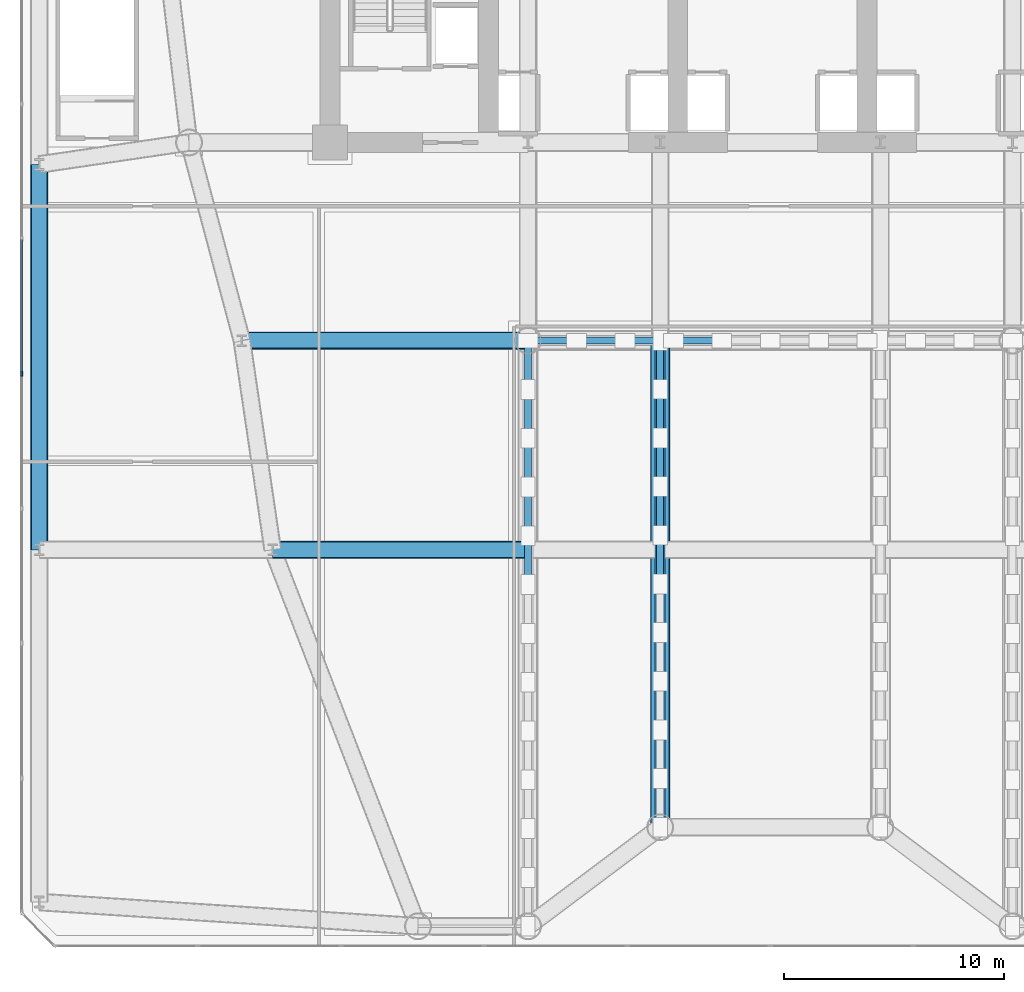
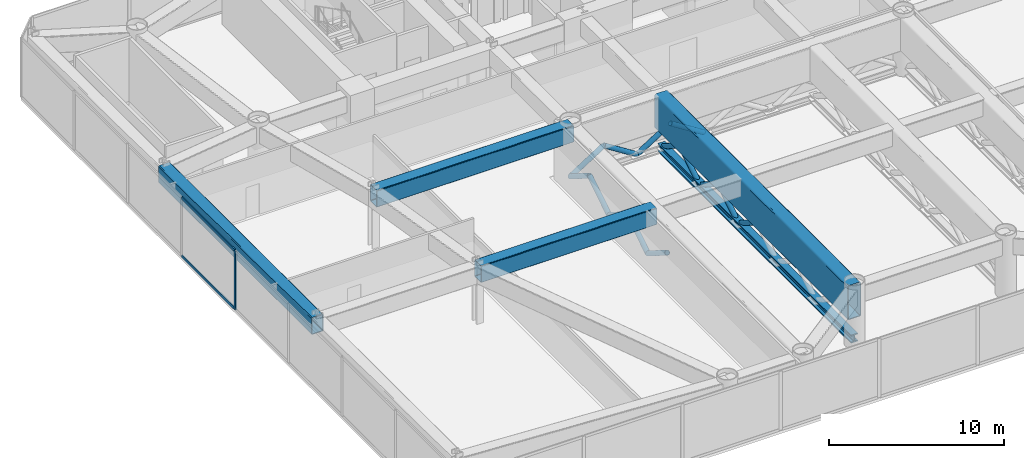
# One storey, part 3 of 21: 18 members, 4 beams, 1 element without a shape of its own.
"""IFC4 building model written with IfcOpenShell, lengths in metres."""

from ifc_helpers import new_model, si_unit, direction, frame, origin, origin_2d, place, context, subcontext, project, spatial, rectangle, hollow_rectangle, hollow_circle, i_section, extrude, source, transform, mapped, material, layer, layer_set, material_profile, profile_set, type_object, element, aggregate, save


model = new_model("IFC4")

# Units and contexts
model_context = context("Model", 3, precision=1e-05, world=origin(), true_north=direction((0.0, 1.0)))
body_context = subcontext(model_context, "Body", "Model", "MODEL_VIEW")
ifc_project = project(units=[si_unit("LENGTHUNIT", "METRE"), si_unit("AREAUNIT", "SQUARE_METRE"), si_unit("VOLUMEUNIT", "CUBIC_METRE"), si_unit("PLANEANGLEUNIT", "RADIAN"), si_unit("MASSUNIT", "GRAM", prefix="KILO")], contexts=[model_context])

# Site, building, storey
site_placement = place(None, origin())
site = spatial("IfcSite", under=ifc_project, at=site_placement, CompositionType="ELEMENT")
building_placement = place(site_placement, origin())
building = spatial("IfcBuilding", under=site, at=building_placement, Name="Vaeldorn Concourse Tower", CompositionType="ELEMENT")
storey_placement = place(building_placement, frame((0.0, 0.0, 14.39990234375)))
storey = spatial("IfcBuildingStorey", under=building, at=storey_placement, Name="L03", CompositionType="ELEMENT", Elevation=14.39990234375)

# Beams
ifc_material_1 = material(Name="Steel S460", Category="steel")
ifc_material_profile_1 = material_profile(ifc_material_1, hollow_rectangle(XDim=0.89990234375, YDim=2.39990234375, WallThickness=0.06005859375, InnerFilletRadius=0.06005859375, OuterFilletRadius=0.1201171875, at=origin_2d()), Name="RHS 2400x900x60")
ifc_profile_set_1 = profile_set([ifc_material_profile_1], Name="Steel S460")
beam_type_1 = type_object("IfcBeamType", Name="BM-TG-BOX2400", PredefinedType="BEAM", material=ifc_profile_set_1)
shared_shape_1 = source(origin(), body_context, "Body", "SweptSolid", [
    extrude(hollow_rectangle(XDim=0.89990234375, YDim=2.39990234375, WallThickness=0.06005859375, InnerFilletRadius=0.06005859375, OuterFilletRadius=0.1201171875, at=origin_2d()), origin(), (0.0, 0.0, 1.0), 22.10009765625),
])
beam_1_placement = place(storey_placement, frame((29.0, 5.39990234375, 2.920166015625), z_axis=(0.0, 1.0, 0.0), x_axis=(-1.0, 0.0, 0.0)))
element("IfcBeam", 1, at=beam_1_placement, inside=storey, type_object=beam_type_1, Name="Beam BM-L03-TG-M12400", PredefinedType="BEAM", context=body_context, shape_type="MappedRepresentation", body=[
    mapped(shared_shape_1, transform((0.0, 0.0, 0.0), scale=1.0)),
])
ifc_material_profile_2 = material_profile(ifc_material_1, hollow_rectangle(XDim=0.800048828125, YDim=1.199951171875, WallThickness=0.044921875, InnerFilletRadius=0.044921875, OuterFilletRadius=0.090087890625, at=origin_2d()), Name="RHS 1200x800x45")
ifc_profile_set_2 = profile_set([ifc_material_profile_2], Name="Steel S460")
beam_type_2 = type_object("IfcBeamType", Name="BM-TG-RHS1200", PredefinedType="BEAM", material=ifc_profile_set_2)
shared_shape_2 = source(origin(), body_context, "Body", "SweptSolid", [
    extrude(hollow_rectangle(XDim=0.800048828125, YDim=1.199951171875, WallThickness=0.044921875, InnerFilletRadius=0.044921875, OuterFilletRadius=0.090087890625, at=origin_2d()), origin(), (0.0, 0.0, 1.0), 13.0),
])
beam_2_placement = place(storey_placement, frame((10.0, 27.5, 3.52001953125), z_axis=(1.0, 0.0, 0.0), x_axis=(0.0, 1.0, 0.0)))
element("IfcBeam", 2, at=beam_2_placement, inside=storey, type_object=beam_type_2, Name="Beam BM-L03-TG-07", PredefinedType="BEAM", context=body_context, shape_type="MappedRepresentation", body=[
    mapped(shared_shape_2, transform((0.0, 0.0, 0.0), scale=1.0)),
])
shared_shape_3 = source(origin(), body_context, "Body", "SweptSolid", [
    extrude(hollow_rectangle(XDim=0.800048828125, YDim=1.199951171875, WallThickness=0.044921875, InnerFilletRadius=0.044921875, OuterFilletRadius=0.090087890625, at=origin_2d()), origin(), (0.0, 0.0, 1.0), 11.60009765625),
])
beam_3_placement = place(storey_placement, frame((11.39990234375, 18.0, 3.52001953125), z_axis=(1.0, 0.0, 0.0), x_axis=(0.0, 1.0, 0.0)))
element("IfcBeam", 3, at=beam_3_placement, inside=storey, type_object=beam_type_2, Name="Beam BM-L03-TG-09", PredefinedType="BEAM", context=body_context, shape_type="MappedRepresentation", body=[
    mapped(shared_shape_3, transform((0.0, 0.0, 0.0), scale=1.0)),
])
shared_shape_4 = source(origin(), body_context, "Body", "SweptSolid", [
    extrude(hollow_rectangle(XDim=0.800048828125, YDim=1.199951171875, WallThickness=0.044921875, InnerFilletRadius=0.044921875, OuterFilletRadius=0.090087890625, at=origin_2d()), origin(), (0.0, 0.0, 1.0), 17.5),
])
beam_4_placement = place(storey_placement, frame((0.800048828125, 18.0, 3.52001953125), z_axis=(0.0, 1.0, 0.0), x_axis=(-1.0, 0.0, 0.0)))
element("IfcBeam", 4, at=beam_4_placement, inside=storey, type_object=beam_type_2, Name="Beam BM-L03-TG-20", PredefinedType="BEAM", context=body_context, shape_type="MappedRepresentation", body=[
    mapped(shared_shape_4, transform((0.0, 0.0, 0.0), scale=1.0)),
])

# Members
ifc_material_profile_3 = material_profile(ifc_material_1, hollow_circle(Radius=0.161865234375, WallThickness=0.01611328125, at=origin_2d()), Name="CHS 323.9x16")
ifc_profile_set_3 = profile_set([ifc_material_profile_3], Name="Steel S460")
member_type_1 = type_object("IfcMemberType", Name="MB-KINK-STRUT", PredefinedType="STRUT", material=ifc_profile_set_3)
shared_shape_5 = source(origin(), body_context, "Body", "SweptSolid", [
    extrude(hollow_circle(Radius=0.161865234375, WallThickness=0.01611328125, at=origin_2d()), origin(), (0.0, 0.0, 1.0), 2.607666015625),
])
for number, where, z_axis, x_axis, name in (
    (5, (23.0, 27.5, 0.320068359375), (0.843630646049, 0.0, 0.536923954621), (0.0, 1.0, 0.0), "Concourse Transverse Collector Truss TT5 Diagonal 1"),
    (6, (27.39990234375, 27.5, 0.320068359375), (-0.843630646049, 0.0, 0.536923954621), (0.0, -1.0, 0.0), "Concourse Transverse Collector Truss TT5 Diagonal 2"),
    (7, (31.800048828125, 27.5, 0.320068359375), (-0.843630646049, 0.0, 0.536923954621), (0.0, -1.0, 0.0), "Concourse Transverse Collector Truss TT5 Diagonal 4"),
):
    element("IfcMember", number, at=place(storey_placement, frame(where, z_axis=z_axis, x_axis=x_axis)), inside=storey, type_object=member_type_1, Name=name, PredefinedType="STRUT", context=body_context, shape_type="MappedRepresentation", body=[
        mapped(shared_shape_5, transform((0.0, 0.0, 0.0), scale=1.0)),
    ])
shared_shape_6 = source(origin(), body_context, "Body", "SweptSolid", [
    extrude(hollow_circle(Radius=0.161865234375, WallThickness=0.01611328125, at=origin_2d()), origin(), (0.0, 0.0, 1.0), 2.60791015625),
])
member_1_placement = place(storey_placement, frame((27.39990234375, 27.5, 0.320068359375), z_axis=(0.843657632978, 0.0, 0.536881549615), x_axis=(0.0, 1.0, 0.0)))
element("IfcMember", 8, at=member_1_placement, inside=storey, type_object=member_type_1, Name="Concourse Transverse Collector Truss TT5 Diagonal 3", PredefinedType="STRUT", context=body_context, shape_type="MappedRepresentation", body=[
    mapped(shared_shape_6, transform((0.0, 0.0, 0.0), scale=1.0)),
])
shared_shape_7 = source(origin(), body_context, "Body", "SweptSolid", [
    extrude(hollow_circle(Radius=0.161865234375, WallThickness=0.01611328125, at=origin_2d()), origin(), (0.0, 0.0, 1.0), 2.621826171875),
])
for number, where, z_axis, x_axis, name in (
    (9, (23.0, 18.63330078125, 0.320068359375), (0.0, -0.845451283482, 0.534052551027), (1.0, 0.0, 0.0), "Concourse Spanning Frame TT1 Web Diagonal 8"),
    (10, (23.0, 18.63330078125, 0.320068359375), (0.0, 0.845477839764, 0.534010507825), (-1.0, 0.0, 0.0), "Concourse Spanning Frame TT1 Web Diagonal 9"),
    (11, (23.0, 23.066650390625, 0.320068359375), (0.0, -0.845451283482, 0.534052551027), (1.0, 0.0, 0.0), "Concourse Spanning Frame TT1 Web Diagonal 10"),
    (12, (23.0, 23.066650390625, 0.320068359375), (0.0, 0.845451283482, 0.534052551027), (-1.0, 0.0, 0.0), "Concourse Spanning Frame TT1 Web Diagonal 11"),
    (13, (23.0, 27.5, 0.320068359375), (0.0, -0.845477839764, 0.534010507825), (1.0, 0.0, 0.0), "Concourse Spanning Frame TT1 Web Diagonal 12"),
):
    element("IfcMember", number, at=place(storey_placement, frame(where, z_axis=z_axis, x_axis=x_axis)), inside=storey, type_object=member_type_1, Name=name, PredefinedType="STRUT", context=body_context, shape_type="MappedRepresentation", body=[
        mapped(shared_shape_7, transform((0.0, 0.0, 0.0), scale=1.0)),
    ])
ifc_material_profile_4 = material_profile(ifc_material_1, i_section(OverallWidth=0.4541015625, OverallDepth=0.569091796875, WebThickness=0.077880859375, FlangeThickness=0.080078125, FilletRadius=0.014892578125, at=origin_2d()), Name="HD 400x1086")
ifc_profile_set_4 = profile_set([ifc_material_profile_4], Name="Steel S460")
member_type_2 = type_object("IfcMemberType", Name="MB-TT-CHORD", PredefinedType="CHORD", material=ifc_profile_set_4)
shared_shape_8 = source(origin(), body_context, "Body", "SweptSolid", [
    extrude(i_section(OverallWidth=0.4541015625, OverallDepth=0.569091796875, WebThickness=0.077880859375, FlangeThickness=0.080078125, FilletRadius=0.014892578125, at=origin_2d()), origin(), (0.0, 0.0, 1.0), 22.10009765625),
])
member_2_placement = place(storey_placement, frame((29.0, 5.39990234375, 0.320068359375), z_axis=(0.0, 1.0, 0.0), x_axis=(-1.0, 0.0, 0.0)))
element("IfcMember", 14, at=member_2_placement, inside=storey, type_object=member_type_2, Name="Concourse Spanning Frame TT2 Bottom Chord", PredefinedType="CHORD", context=body_context, shape_type="MappedRepresentation", body=[
    mapped(shared_shape_8, transform((0.0, 0.0, 0.0), scale=1.0)),
])
shared_shape_9 = source(origin(), body_context, "Body", "SweptSolid", [
    extrude(hollow_circle(Radius=0.161865234375, WallThickness=0.01611328125, at=origin_2d()), origin(), (0.0, 0.0, 1.0), 2.616455078125),
])
member_3_placement = place(storey_placement, frame((29.0, 18.659912109375, 0.320068359375), z_axis=(0.0, 0.844758613094, 0.535147536296), x_axis=(-1.0, 0.0, 0.0)))
element("IfcMember", 15, at=member_3_placement, inside=storey, type_object=member_type_1, Name="Concourse Spanning Frame TT2 Web Diagonal 7", PredefinedType="STRUT", context=body_context, shape_type="MappedRepresentation", body=[
    mapped(shared_shape_9, transform((0.0, 0.0, 0.0), scale=1.0)),
])
shared_shape_10 = source(origin(), body_context, "Body", "SweptSolid", [
    extrude(hollow_circle(Radius=0.161865234375, WallThickness=0.01611328125, at=origin_2d()), origin(), (0.0, 0.0, 1.0), 2.6162109375),
])
for number, where, z_axis, x_axis, name in (
    (16, (29.0, 18.659912109375, 0.320068359375), (0.0, -0.844731886813, 0.53518972281), (1.0, 0.0, 0.0), "Concourse Spanning Frame TT2 Web Diagonal 6"),
    (17, (29.0, 23.080078125, 0.320068359375), (0.0, -0.844731886813, 0.53518972281), (1.0, 0.0, 0.0), "Concourse Spanning Frame TT2 Web Diagonal 8"),
    (18, (29.0, 23.080078125, 0.320068359375), (0.0, 0.844731886813, 0.53518972281), (-1.0, 0.0, 0.0), "Concourse Spanning Frame TT2 Web Diagonal 9"),
    (19, (29.0, 27.5, 0.320068359375), (0.0, -0.844731886813, 0.53518972281), (1.0, 0.0, 0.0), "Concourse Spanning Frame TT2 Web Diagonal 10"),
):
    element("IfcMember", number, at=place(storey_placement, frame(where, z_axis=z_axis, x_axis=x_axis)), inside=storey, type_object=member_type_1, Name=name, PredefinedType="STRUT", context=body_context, shape_type="MappedRepresentation", body=[
        mapped(shared_shape_10, transform((0.0, 0.0, 0.0), scale=1.0)),
    ])

# Curtain wall, members
ifc_material_2 = material(Name="Anodised Bronze Aluminium", Category="aluminium")
ifc_layer = layer(ifc_material_2, 0.239990234375)
ifc_layer_set = layer_set([ifc_layer], Name="Anodised Bronze Aluminium")
curtain_wall_type = type_object("IfcCurtainWallType", Name="CW-SYS-04", PredefinedType="NOTDEFINED", material=ifc_layer_set)
curtain_wall_placement = place(storey_placement, origin())
curtain_wall = element("IfcCurtainWall", 20, at=curtain_wall_placement, inside=storey, type_object=curtain_wall_type, Name="Unitised Curtain Wall CW-L03-E07-1", PredefinedType="NOTDEFINED")
ifc_material_profile_5 = material_profile(ifc_material_2, rectangle(XDim=0.074951171875, YDim=0.179931640625, at=origin_2d()), Name="CWT 75x180")
ifc_profile_set_5 = profile_set([ifc_material_profile_5], Name="Anodised Bronze Aluminium")
member_type_3 = type_object("IfcMemberType", Name="CWT-BRONZE-180", PredefinedType="USERDEFINED", material=ifc_profile_set_5)
shared_shape_11 = source(origin(), body_context, "Body", "SweptSolid", [
    extrude(rectangle(XDim=0.074951171875, YDim=0.179931640625, at=origin_2d()), origin(), (0.0, 0.0, 1.0), 6.0498046875),
])
member_4_placement = place(storey_placement, frame((0.0, 32.08740234375, 0.03759765625), z_axis=(0.0, -1.0, 0.0), x_axis=(1.0, 0.0, 0.0)))
member_4 = element("IfcMember", 21, at=member_4_placement, type_object=member_type_3, Name="CW-04 transom 4.1", ObjectType="TRANSOM", PredefinedType="USERDEFINED", context=body_context, shape_type="MappedRepresentation", body=[
    mapped(shared_shape_11, transform((0.0, 0.0, 0.0), scale=1.0)),
])
member_5_placement = place(storey_placement, frame((0.0, 32.08740234375, 4.08251953125), z_axis=(0.0, -1.0, 0.0), x_axis=(1.0, 0.0, 0.0)))
member_5 = element("IfcMember", 22, at=member_5_placement, type_object=member_type_3, Name="CW-04 transom 4.2", ObjectType="TRANSOM", PredefinedType="USERDEFINED", context=body_context, shape_type="MappedRepresentation", body=[
    mapped(shared_shape_11, transform((0.0, 0.0, 0.0), scale=1.0)),
])
ifc_material_profile_6 = material_profile(ifc_material_2, rectangle(XDim=0.074951171875, YDim=0.219970703125, at=origin_2d()), Name="CWM 75x220")
ifc_profile_set_6 = profile_set([ifc_material_profile_6], Name="Anodised Bronze Aluminium")
member_type_4 = type_object("IfcMemberType", Name="CWM-BRONZE-220", PredefinedType="MULLION", material=ifc_profile_set_6)
shared_shape_12 = source(origin(), body_context, "Body", "SweptSolid", [
    extrude(rectangle(XDim=0.074951171875, YDim=0.219970703125, at=origin_2d()), origin(), (0.0, 0.0, 1.0), 4.1201171875),
])
member_6_placement = place(storey_placement, frame((0.0, 26.0, 0.0), z_axis=(0.0, 0.0, 1.0), x_axis=(1.0, 0.0, 0.0)))
member_6 = element("IfcMember", 23, at=member_6_placement, type_object=member_type_4, Name="CW-04 mullion 5", PredefinedType="MULLION", context=body_context, shape_type="MappedRepresentation", body=[
    mapped(shared_shape_12, transform((0.0, 0.0, 0.0), scale=1.0)),
])
aggregate(curtain_wall, [member_6, member_4, member_5])

save(model, "model.ifc")
